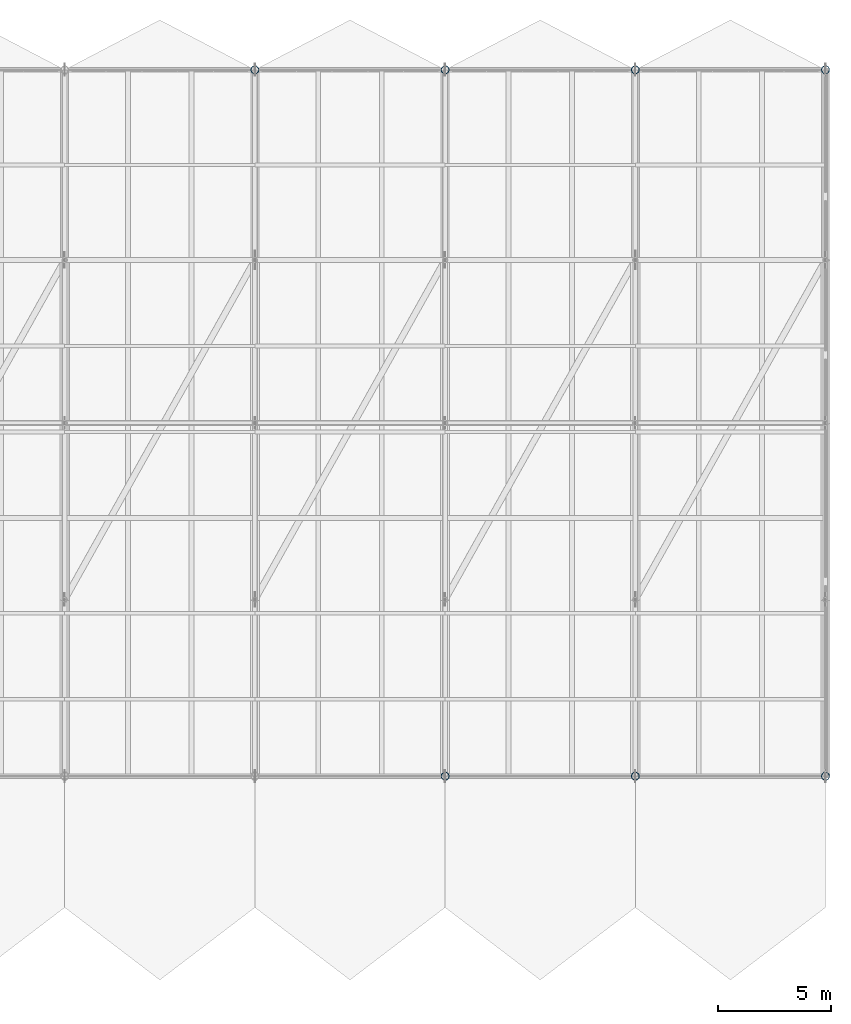
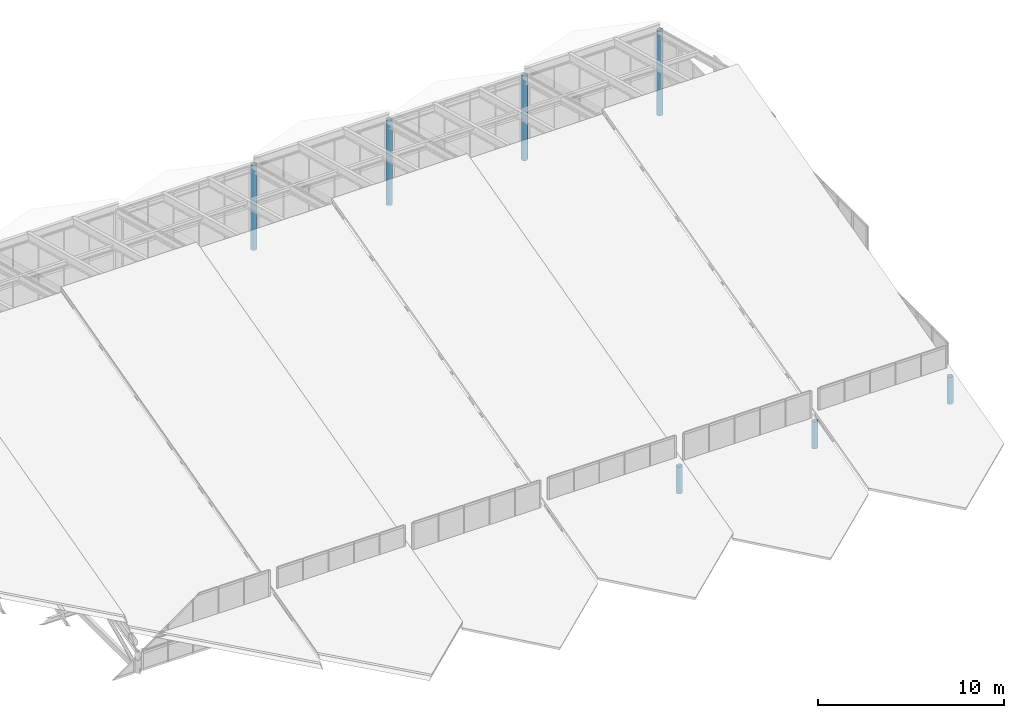
# One storey, part 2 of 43: 7 columns.
"""IFC4 building model written with IfcOpenShell, lengths in metres."""

from ifc_helpers import new_model, si_unit, direction, frame, origin, origin_2d, place, context, subcontext, project, spatial, hollow_circle, extrude, material, material_profile, profile_set, type_object, element, save


model = new_model("IFC4")

# Units and contexts
model_context = context("Model", 3, precision=1e-05, world=origin(), true_north=direction((0.0, 1.0)))
body_context = subcontext(model_context, "Body", "Model", "MODEL_VIEW")
ifc_project = project(units=[si_unit("LENGTHUNIT", "METRE"), si_unit("AREAUNIT", "SQUARE_METRE"), si_unit("VOLUMEUNIT", "CUBIC_METRE"), si_unit("PLANEANGLEUNIT", "RADIAN"), si_unit("MASSUNIT", "GRAM", prefix="KILO")], contexts=[model_context])

# Site, building, storey
site_placement = place(None, origin())
site = spatial("IfcSite", under=ifc_project, at=site_placement, CompositionType="ELEMENT")
building_placement = place(site_placement, origin())
building = spatial("IfcBuilding", under=site, at=building_placement, Name="Selat Folded Stagehouse", CompositionType="ELEMENT")
storey_placement = place(building_placement, frame((0.0, 0.0, 32.39990234375)))
storey = spatial("IfcBuildingStorey", under=building, at=storey_placement, Name="RF", CompositionType="ELEMENT", Elevation=32.39990234375)

# Columns
ifc_material = material(Name="Steel S355", Category="steel")
ifc_material_profile = material_profile(ifc_material, hollow_circle(Radius=0.177734375, WallThickness=0.01611328125, at=origin_2d()), Name="CHS 355.6x16.0")
ifc_profile_set = profile_set([ifc_material_profile], Name="Steel S355")
column_type = type_object("IfcColumnType", Name="COL-CHS-355x16", PredefinedType="COLUMN", material=ifc_profile_set)
column_1_placement = place(storey_placement, frame((42.0, 54.60009765625, 0.0), z_axis=(0.0, 0.0, 1.0), x_axis=(1.0, 0.0, 0.0)))
element("IfcColumn", 1, at=column_1_placement, inside=storey, type_object=column_type, Name="RF north eave column 5", PredefinedType="COLUMN", context=body_context, shape_type="SweptSolid", body=[
    extrude(hollow_circle(Radius=0.177734375, WallThickness=0.01611328125, at=origin_2d()), origin(), (0.0, 0.0, 1.0), 5.557861328125),
])
column_2_placement = place(storey_placement, frame((50.39990234375, 23.39990234375, 0.0), z_axis=(0.0, 0.0, 1.0), x_axis=(1.0, 0.0, 0.0)))
element("IfcColumn", 2, at=column_2_placement, inside=storey, type_object=column_type, Name="RF south eave column 6", PredefinedType="COLUMN", context=body_context, shape_type="SweptSolid", body=[
    extrude(hollow_circle(Radius=0.177734375, WallThickness=0.01611328125, at=origin_2d()), origin(), (0.0, 0.0, 1.0), 1.75537109375),
])
column_3_placement = place(storey_placement, frame((50.39990234375, 54.60009765625, 0.0), z_axis=(0.0, 0.0, 1.0), x_axis=(1.0, 0.0, 0.0)))
element("IfcColumn", 3, at=column_3_placement, inside=storey, type_object=column_type, Name="RF north eave column 6", PredefinedType="COLUMN", context=body_context, shape_type="SweptSolid", body=[
    extrude(hollow_circle(Radius=0.177734375, WallThickness=0.01611328125, at=origin_2d()), origin(), (0.0, 0.0, 1.0), 5.557861328125),
])
column_4_placement = place(storey_placement, frame((58.800048828125, 23.39990234375, 0.0), z_axis=(0.0, 0.0, 1.0), x_axis=(1.0, 0.0, 0.0)))
element("IfcColumn", 4, at=column_4_placement, inside=storey, type_object=column_type, Name="RF south eave column 7", PredefinedType="COLUMN", context=body_context, shape_type="SweptSolid", body=[
    extrude(hollow_circle(Radius=0.177734375, WallThickness=0.01611328125, at=origin_2d()), origin(), (0.0, 0.0, 1.0), 1.75537109375),
])
column_5_placement = place(storey_placement, frame((58.800048828125, 54.60009765625, 0.0), z_axis=(0.0, 0.0, 1.0), x_axis=(1.0, 0.0, 0.0)))
element("IfcColumn", 5, at=column_5_placement, inside=storey, type_object=column_type, Name="RF north eave column 7", PredefinedType="COLUMN", context=body_context, shape_type="SweptSolid", body=[
    extrude(hollow_circle(Radius=0.177734375, WallThickness=0.01611328125, at=origin_2d()), origin(), (0.0, 0.0, 1.0), 5.557861328125),
])
column_6_placement = place(storey_placement, frame((67.199951171875, 23.39990234375, 0.0), z_axis=(0.0, 0.0, 1.0), x_axis=(1.0, 0.0, 0.0)))
element("IfcColumn", 6, at=column_6_placement, inside=storey, type_object=column_type, Name="RF south eave column 8", PredefinedType="COLUMN", context=body_context, shape_type="SweptSolid", body=[
    extrude(hollow_circle(Radius=0.177734375, WallThickness=0.01611328125, at=origin_2d()), origin(), (0.0, 0.0, 1.0), 1.75537109375),
])
column_7_placement = place(storey_placement, frame((67.199951171875, 54.60009765625, 0.0), z_axis=(0.0, 0.0, 1.0), x_axis=(1.0, 0.0, 0.0)))
element("IfcColumn", 7, at=column_7_placement, inside=storey, type_object=column_type, Name="RF north eave column 8", PredefinedType="COLUMN", context=body_context, shape_type="SweptSolid", body=[
    extrude(hollow_circle(Radius=0.177734375, WallThickness=0.01611328125, at=origin_2d()), origin(), (0.0, 0.0, 1.0), 5.557861328125),
])

save(model, "model.ifc")
